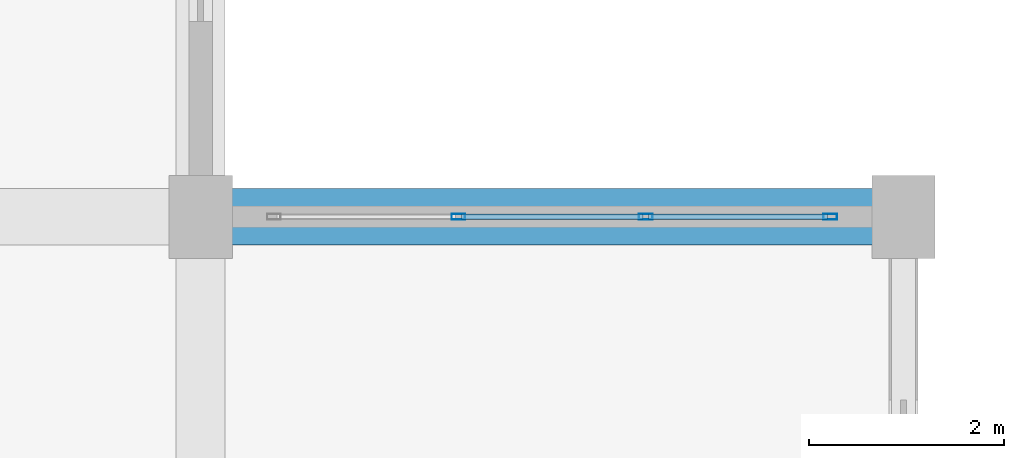
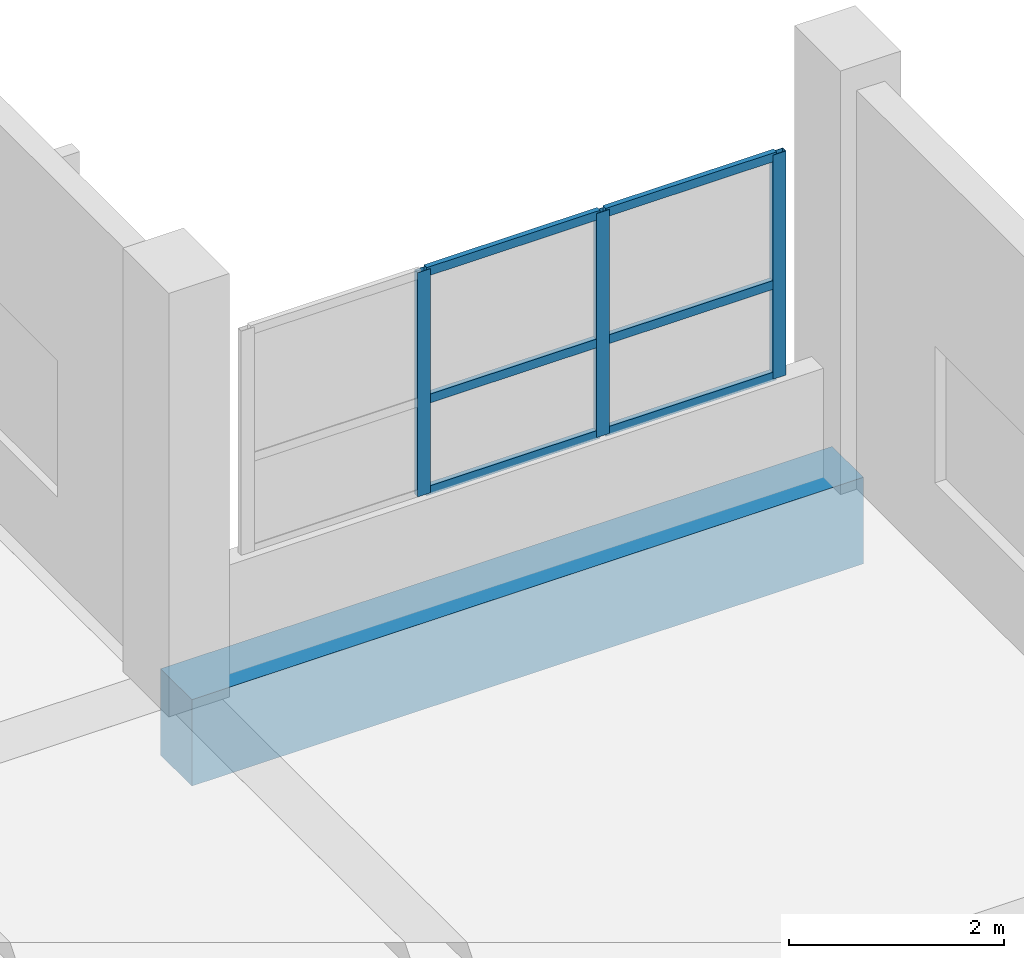
# One storey, part 137 of 181: 9 members, 1 beam, 1 element without a shape of its own.
"""IFC4 building model written with IfcOpenShell, lengths in metres."""

from ifc_helpers import new_model, si_unit, direction, frame, origin, origin_2d, place, context, subcontext, project, spatial, rectangle, hollow_rectangle, extrude, material, layer, layer_set, material_profile, profile_set, type_object, element, aggregate, save


model = new_model("IFC4")

# Units and contexts
model_context = context("Model", 3, precision=1e-05, world=origin(), true_north=direction((0.0, 1.0)))
body_context = subcontext(model_context, "Body", "Model", "MODEL_VIEW")
ifc_project = project(units=[si_unit("LENGTHUNIT", "METRE"), si_unit("AREAUNIT", "SQUARE_METRE"), si_unit("VOLUMEUNIT", "CUBIC_METRE"), si_unit("PLANEANGLEUNIT", "RADIAN"), si_unit("MASSUNIT", "GRAM", prefix="KILO")], contexts=[model_context])

# Site, building, storey
site_placement = place(None, origin())
site = spatial("IfcSite", under=ifc_project, at=site_placement, CompositionType="ELEMENT")
building_placement = place(site_placement, origin())
building = spatial("IfcBuilding", under=site, at=building_placement, Name="Seraya Terrace Polytechnic", CompositionType="ELEMENT")
storey_placement = place(building_placement, frame((0.0, 0.0, 4.800048828125)))
storey = spatial("IfcBuildingStorey", under=building, at=storey_placement, Name="L01", CompositionType="ELEMENT", Elevation=4.800048828125)

# Beam
ifc_material_1 = material(Name="Concrete C40/50", Category="concrete")
ifc_material_profile_1 = material_profile(ifc_material_1, rectangle(XDim=0.580078125, YDim=0.97998046875, at=origin_2d()), Name="RC 580x980")
ifc_profile_set_1 = profile_set([ifc_material_profile_1], Name="Concrete C40/50")
beam_type = type_object("IfcBeamType", Name="BM-02", PredefinedType="BEAM", material=ifc_profile_set_1)
beam_placement = place(storey_placement, frame((158.39990234375, 79.199951171875, -0.489990234375), z_axis=(1.0, 0.0, 0.0), x_axis=(0.0, 1.0, 0.0)))
element("IfcBeam", 1, at=beam_placement, inside=storey, type_object=beam_type, Name="Beam BM-02 L01 X (158.4..165.6, 79.2)", PredefinedType="BEAM", context=body_context, shape_type="SweptSolid", body=[
    extrude(rectangle(XDim=0.580078125, YDim=0.97998046875, at=origin_2d()), origin(), (0.0, 0.0, 1.0), 7.2001953125),
])

# Curtain wall, members
ifc_material_2 = material(Name="Anodised aluminium EN AW-6063 T6", Category="aluminium")
ifc_layer = layer(ifc_material_2, 0.179931640625, Name="CW-21")
ifc_layer_set = layer_set([ifc_layer], Name="Anodised aluminium EN AW-6063 T6")
curtain_wall_type = type_object("IfcCurtainWallType", Name="CW-21", PredefinedType="NOTDEFINED", material=ifc_layer_set)
curtain_wall_placement = place(storey_placement, origin())
curtain_wall = element("IfcCurtainWall", 2, at=curtain_wall_placement, inside=storey, type_object=curtain_wall_type, Name="Unitised curtain wall CW-21 (CW-L01-021)", PredefinedType="NOTDEFINED")
ifc_material_profile_2 = material_profile(ifc_material_2, hollow_rectangle(XDim=0.06005859375, YDim=0.139892578125, WallThickness=0.00341796875, at=origin_2d()), Name="RHS 140x60x3.5")
ifc_profile_set_2 = profile_set([ifc_material_profile_2], Name="Anodised aluminium EN AW-6063 T6")
member_type_1 = type_object("IfcMemberType", Name="CWM-03", PredefinedType="MULLION", material=ifc_profile_set_2)
member_1_placement = place(storey_placement, frame((161.0400390625, 79.199951171875, 1.239990234375), z_axis=(0.0, 0.0, 1.0), x_axis=(0.0, 1.0, 0.0)))
member_1 = element("IfcMember", 3, at=member_1_placement, type_object=member_type_1, Name="CW-21 mullion 2", PredefinedType="MULLION", context=body_context, shape_type="SweptSolid", body=[
    extrude(hollow_rectangle(XDim=0.06005859375, YDim=0.139892578125, WallThickness=0.00341796875, at=origin_2d()), origin(), (0.0, 0.0, 1.0), 2.5400390625),
])
member_2_placement = place(storey_placement, frame((162.9599609375, 79.199951171875, 1.239990234375), z_axis=(0.0, 0.0, 1.0), x_axis=(0.0, 1.0, 0.0)))
member_2 = element("IfcMember", 4, at=member_2_placement, type_object=member_type_1, Name="CW-21 mullion 3", PredefinedType="MULLION", context=body_context, shape_type="SweptSolid", body=[
    extrude(hollow_rectangle(XDim=0.06005859375, YDim=0.139892578125, WallThickness=0.00341796875, at=origin_2d()), origin(), (0.0, 0.0, 1.0), 2.5400390625),
])
member_3_placement = place(storey_placement, frame((164.85009765625, 79.199951171875, 1.239990234375), z_axis=(0.0, 0.0, 1.0), x_axis=(0.0, 1.0, 0.0)))
member_3 = element("IfcMember", 5, at=member_3_placement, type_object=member_type_1, Name="CW-21 mullion 4", PredefinedType="MULLION", context=body_context, shape_type="SweptSolid", body=[
    extrude(hollow_rectangle(XDim=0.06005859375, YDim=0.139892578125, WallThickness=0.00341796875, at=origin_2d()), origin(), (0.0, 0.0, 1.0), 2.5400390625),
])
ifc_material_profile_3 = material_profile(ifc_material_2, hollow_rectangle(XDim=0.054931640625, YDim=0.10009765625, WallThickness=0.0029296875, at=origin_2d()), Name="RHS 100x55x3.0")
ifc_profile_set_3 = profile_set([ifc_material_profile_3], Name="Anodised aluminium EN AW-6063 T6")
member_type_2 = type_object("IfcMemberType", Name="CWT-03", PredefinedType="USERDEFINED", material=ifc_profile_set_3)
member_4_placement = place(storey_placement, frame((161.070068359375, 79.199951171875, 1.267333984375), z_axis=(1.0, 0.0, 0.0), x_axis=(0.0, 1.0, 0.0)))
member_4 = element("IfcMember", 6, at=member_4_placement, type_object=member_type_2, Name="CW-21 transom 2.1", ObjectType="TRANSOM", PredefinedType="USERDEFINED", context=body_context, shape_type="SweptSolid", body=[
    extrude(hollow_rectangle(XDim=0.054931640625, YDim=0.10009765625, WallThickness=0.0029296875, at=origin_2d()), origin(), (0.0, 0.0, 1.0), 1.85986328125),
])
member_5_placement = place(storey_placement, frame((161.070068359375, 79.199951171875, 2.306640625), z_axis=(1.0, 0.0, 0.0), x_axis=(0.0, 1.0, 0.0)))
member_5 = element("IfcMember", 7, at=member_5_placement, type_object=member_type_2, Name="CW-21 transom 2.2", ObjectType="TRANSOM", PredefinedType="USERDEFINED", context=body_context, shape_type="SweptSolid", body=[
    extrude(hollow_rectangle(XDim=0.054931640625, YDim=0.10009765625, WallThickness=0.0029296875, at=origin_2d()), origin(), (0.0, 0.0, 1.0), 1.85986328125),
])
member_6_placement = place(storey_placement, frame((161.070068359375, 79.199951171875, 3.75244140625), z_axis=(1.0, 0.0, 0.0), x_axis=(0.0, 1.0, 0.0)))
member_6 = element("IfcMember", 8, at=member_6_placement, type_object=member_type_2, Name="CW-21 transom 2.3", ObjectType="TRANSOM", PredefinedType="USERDEFINED", context=body_context, shape_type="SweptSolid", body=[
    extrude(hollow_rectangle(XDim=0.054931640625, YDim=0.10009765625, WallThickness=0.0029296875, at=origin_2d()), origin(), (0.0, 0.0, 1.0), 1.85986328125),
])
member_7_placement = place(storey_placement, frame((162.989990234375, 79.199951171875, 1.267333984375), z_axis=(1.0, 0.0, 0.0), x_axis=(0.0, 1.0, 0.0)))
member_7 = element("IfcMember", 9, at=member_7_placement, type_object=member_type_2, Name="CW-21 transom 3.1", ObjectType="TRANSOM", PredefinedType="USERDEFINED", context=body_context, shape_type="SweptSolid", body=[
    extrude(hollow_rectangle(XDim=0.054931640625, YDim=0.10009765625, WallThickness=0.0029296875, at=origin_2d()), origin(), (0.0, 0.0, 1.0), 1.830078125),
])
member_8_placement = place(storey_placement, frame((162.989990234375, 79.199951171875, 2.306640625), z_axis=(1.0, 0.0, 0.0), x_axis=(0.0, 1.0, 0.0)))
member_8 = element("IfcMember", 10, at=member_8_placement, type_object=member_type_2, Name="CW-21 transom 3.2", ObjectType="TRANSOM", PredefinedType="USERDEFINED", context=body_context, shape_type="SweptSolid", body=[
    extrude(hollow_rectangle(XDim=0.054931640625, YDim=0.10009765625, WallThickness=0.0029296875, at=origin_2d()), origin(), (0.0, 0.0, 1.0), 1.830078125),
])
member_9_placement = place(storey_placement, frame((162.989990234375, 79.199951171875, 3.75244140625), z_axis=(1.0, 0.0, 0.0), x_axis=(0.0, 1.0, 0.0)))
member_9 = element("IfcMember", 11, at=member_9_placement, type_object=member_type_2, Name="CW-21 transom 3.3", ObjectType="TRANSOM", PredefinedType="USERDEFINED", context=body_context, shape_type="SweptSolid", body=[
    extrude(hollow_rectangle(XDim=0.054931640625, YDim=0.10009765625, WallThickness=0.0029296875, at=origin_2d()), origin(), (0.0, 0.0, 1.0), 1.830078125),
])
aggregate(curtain_wall, [member_1, member_2, member_3, member_4, member_5, member_6, member_7, member_8, member_9])

save(model, "model.ifc")
